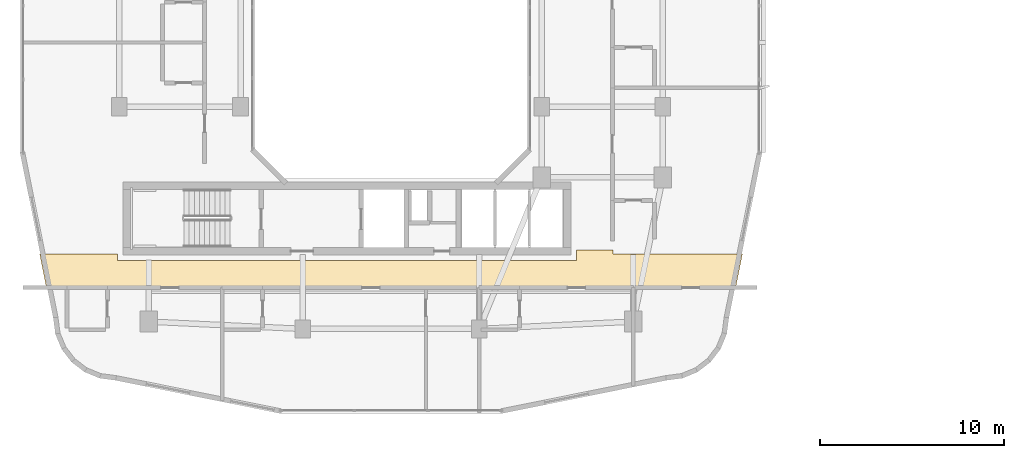
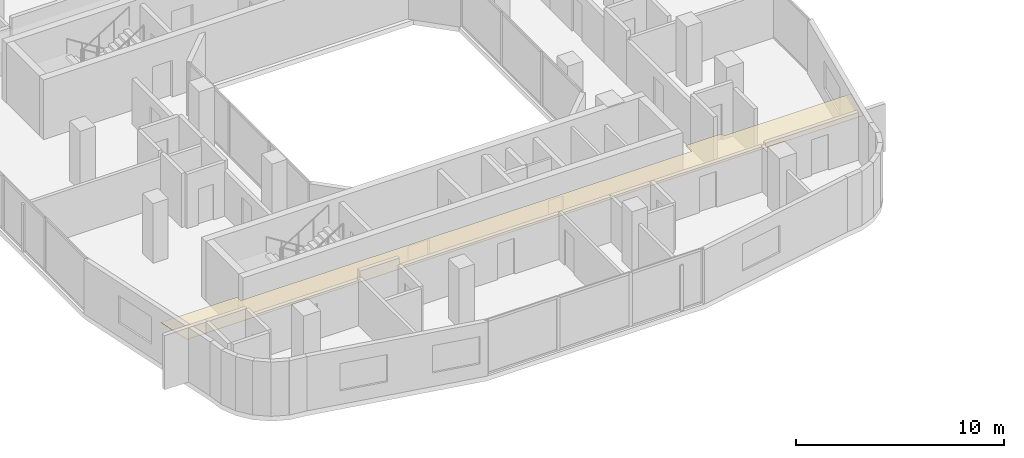
# One storey, part 23 of 26: 1 covering.
"""IFC4 building model written with IfcOpenShell, lengths in metres."""

from ifc_helpers import new_model, si_unit, derived_unit, direction, frame, origin, place, context, subcontext, project, spatial, polyline, outline, extrude, material, layer, layer_set, type_object, element, save


model = new_model("IFC4")

# Units and contexts
model_context = context("Model", 3, precision=1e-05, world=origin(), true_north=direction((0.0, 1.0)))
body_context = subcontext(model_context, "Body", "Model", "MODEL_VIEW")
ifc_project = project(units=[si_unit("LENGTHUNIT", "METRE"), si_unit("AREAUNIT", "SQUARE_METRE"), si_unit("VOLUMEUNIT", "CUBIC_METRE"), si_unit("PLANEANGLEUNIT", "RADIAN"), si_unit("MASSUNIT", "GRAM", prefix="KILO"), derived_unit("THERMALTRANSMITTANCEUNIT", [(si_unit("POWERUNIT", "WATT"), 1), (si_unit("LENGTHUNIT", "METRE"), -2), (si_unit("THERMODYNAMICTEMPERATUREUNIT", "KELVIN"), -1)])], contexts=[model_context])

# Site, building, storey
site_placement = place(None, origin())
site = spatial("IfcSite", under=ifc_project, at=site_placement, CompositionType="ELEMENT")
building_placement = place(site_placement, origin())
building = spatial("IfcBuilding", under=site, at=building_placement, Name="Kivonza Crest Hotel", CompositionType="ELEMENT")
storey_placement = place(building_placement, frame((0.0, 0.0, 116.0)))
storey = spatial("IfcBuildingStorey", under=building, at=storey_placement, Name="L31", CompositionType="ELEMENT", Elevation=116.0)

# Covering
ifc_material = material(Name="Mineral-fibre acoustic ceiling tile", Category="gypsum")
ifc_layer = layer(ifc_material, 0.02490234375)
ifc_layer_set = layer_set([ifc_layer], Name="Mineral-fibre acoustic ceiling tile")
covering_type = type_object("IfcCoveringType", Name="CV-CEIL-ACOU", PredefinedType="CEILING", material=ifc_layer_set)
covering_placement = place(storey_placement, frame((0.0, 0.0, 2.449951171875)))
element("IfcCovering", 1, at=covering_placement, inside=storey, type_object=covering_type, Name="L31 Hotel South Guest Corridor suspended ceiling", PredefinedType="CEILING", context=body_context, shape_type="SweptSolid", body=[
    extrude(outline(polyline([(33.090087890625, 13.47998046875), (33.090087890625, 13.68994140625), (31.10009765625, 13.68994140625), (31.10009765625, 13.139892578125), (6.10009765625, 13.139892578125), (6.10009765625, 13.47998046875), (1.85791015625, 13.47998046875), (2.235107421875, 11.610107421875), (39.764892578125, 11.610107421875), (40.14208984375, 13.47998046875), (33.090087890625, 13.47998046875)])), origin(), (0.0, 0.0, 1.0), 0.025146484375),
])

save(model, "model.ifc")
